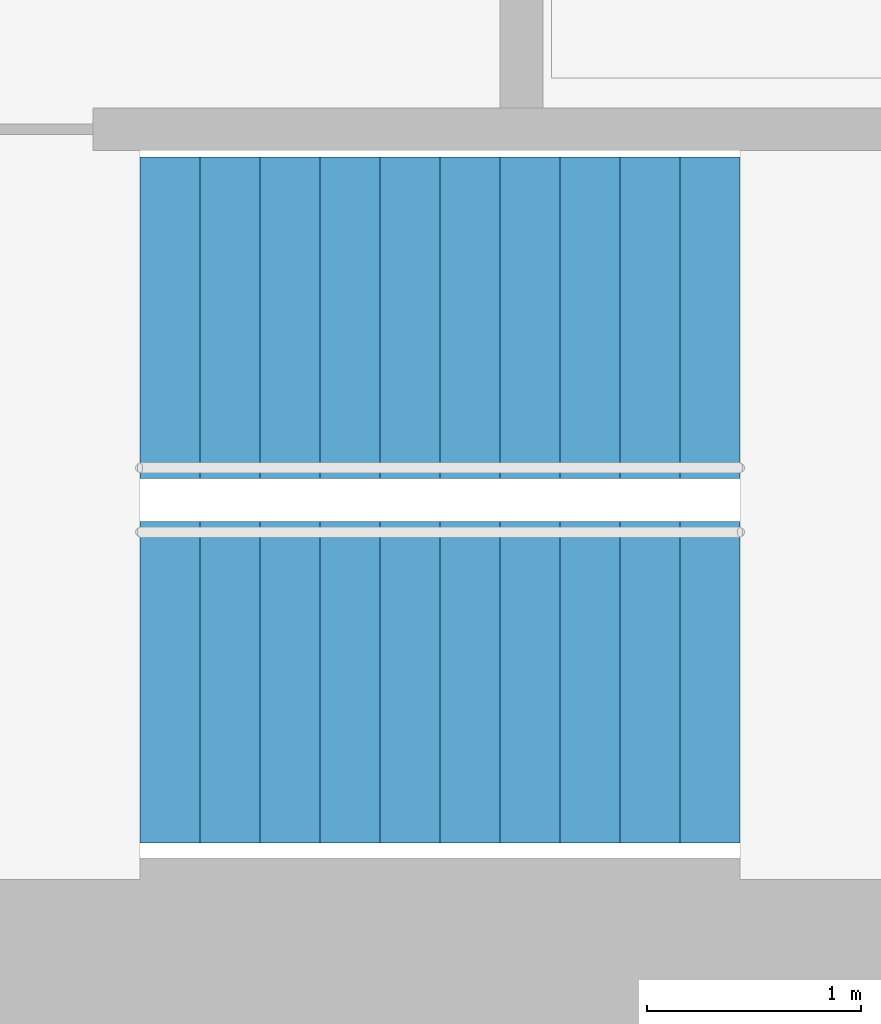
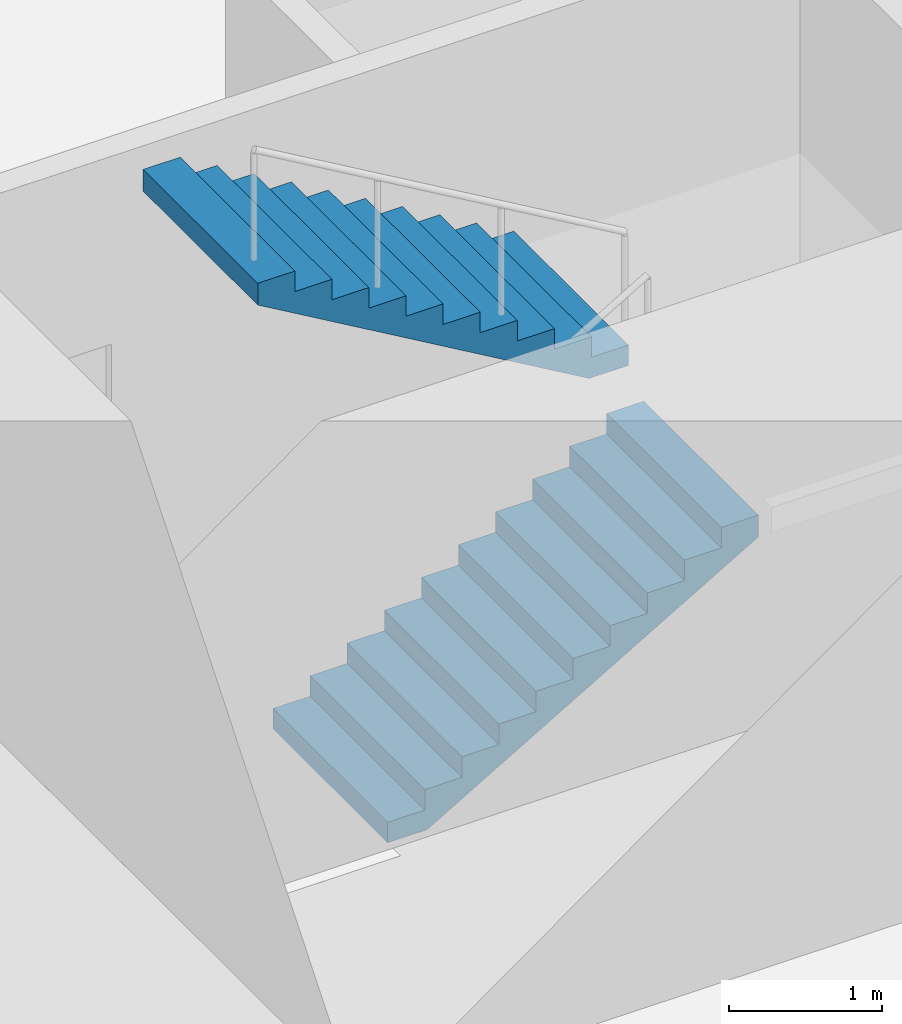
# One storey, part 13 of 15: 2 stair flights, 1 element without a shape of its own.
"""IFC4 building model written with IfcOpenShell, lengths in metres."""

import ifcopenshell
import ifcopenshell.guid

model = None  # the IFC model being written
_history = None  # IfcOwnerHistory: only IFC2X3 demands one
_inside = {}  # id of a spatial element -> (the spatial element, [elements in it])
_under = {}  # id of a project, library or spatial element -> (it, [spatial elements below it])
_declared = {}  # id of a project -> (the project, [libraries it declares])
_typed = {}  # id of a type object -> (the type object, [elements of that type])
_made_of = {}  # id of a material, layer set ... -> (it, [elements and type objects made of it])


def new_model(schema):
    """Start an empty IFC model of exactly this schema.

    Asked for "IFC4X3", IfcOpenShell would pick the latest addendum, in which some entities
    have other attributes; the version numbers below select the first issue.
    IFC2X3 requires an IfcOwnerHistory on every rooted entity: one is made here for all.
    """
    global model, _history
    if schema == "IFC4X3":
        model = ifcopenshell.file(schema_version=(4, 3, 0, 0))
    else:
        model = ifcopenshell.file(schema=schema)
    _inside.clear()
    _under.clear()
    _declared.clear()
    _typed.clear()
    _made_of.clear()
    _history = None
    if model.schema == "IFC2X3":
        org = make("IfcOrganization", Name="unknown")
        user = make(
            "IfcPersonAndOrganization",
            ThePerson=make("IfcPerson", FamilyName="unknown"),
            TheOrganization=org,
        )
        app = make(
            "IfcApplication",
            ApplicationDeveloper=org,
            Version="unknown",
            ApplicationFullName="unknown",
            ApplicationIdentifier="unknown",
        )
        _history = make(
            "IfcOwnerHistory",
            OwningUser=user,
            OwningApplication=app,
            ChangeAction="ADDED",
            CreationDate=0,
        )
    return model


def make(cls, **values):
    """One entity of the class cls with the attributes given. An attribute that is None is left unset."""
    return model.create_entity(
        cls, **{name: value for name, value in values.items() if value is not None}
    )


def rooted(cls, **values):
    """An entity with a GlobalId (a new one), such as an element, a storey or a relation."""
    return make(cls, GlobalId=ifcopenshell.guid.new(), OwnerHistory=_history, **values)


def si_unit(unit_type, name, prefix=None):
    """IfcSIUnit, for example si_unit("LENGTHUNIT", "METRE", prefix="MILLI")."""
    return make("IfcSIUnit", UnitType=unit_type, Prefix=prefix, Name=name)


def assignment(units):
    """IfcUnitAssignment: the units of a project."""
    return None if units is None else make("IfcUnitAssignment", Units=units)


def point(xyz):
    """IfcCartesianPoint."""
    return None if xyz is None else make("IfcCartesianPoint", Coordinates=xyz)


def direction(xyz):
    """IfcDirection."""
    return None if xyz is None else make("IfcDirection", DirectionRatios=xyz)


def frame(location, z_axis=None, x_axis=None):
    """IfcAxis2Placement3D, a coordinate frame: its origin and axes. An axis left out is left unset."""
    return make(
        "IfcAxis2Placement3D",
        Location=point(location),
        Axis=direction(z_axis),
        RefDirection=direction(x_axis),
    )


def origin():
    """The frame at (0, 0, 0) with its axes left unset."""
    return frame((0.0, 0.0, 0.0))


def place(relative_to, where):
    """IfcLocalPlacement: puts the frame where relative to a parent placement (None: the world)."""
    return make(
        "IfcLocalPlacement", PlacementRelTo=relative_to, RelativePlacement=where
    )


def context(
    kind, dimensions, precision=None, world=None, true_north=None, identifier=None
):
    """IfcGeometricRepresentationContext, for example the 3D "Model" context."""
    return make(
        "IfcGeometricRepresentationContext",
        ContextIdentifier=identifier,
        ContextType=kind,
        CoordinateSpaceDimension=dimensions,
        Precision=precision,
        WorldCoordinateSystem=world,
        TrueNorth=true_north,
    )


def subcontext(parent, identifier, kind, view, scale=None):
    """IfcGeometricRepresentationSubContext, for example "Body" below "Model"."""
    return make(
        "IfcGeometricRepresentationSubContext",
        ContextIdentifier=identifier,
        ContextType=kind,
        ParentContext=parent,
        TargetScale=scale,
        TargetView=view,
    )


def project(units=None, contexts=None):
    """IfcProject with its units and contexts."""
    return rooted(
        "IfcProject",
        Name="project",
        RepresentationContexts=contexts,
        UnitsInContext=assignment(units),
    )


def spatial(cls, under=None, at=None, **own):
    """A site, building, storey or space (cls), placed at a placement, below another one or the project."""
    s = rooted(cls, ObjectPlacement=at, **own)
    if under is not None:
        _under.setdefault(under.id(), (under, []))[1].append(s)
    return s


def point_list(points):
    """IfcCartesianPointList2D or 3D."""
    cls = (
        "IfcCartesianPointList2D" if len(points[0]) == 2 else "IfcCartesianPointList3D"
    )
    return make(cls, CoordList=points)


def triangles(points, corners, closed=None, point_numbers=None):
    """IfcTriangulatedFaceSet: each triangle names its three corners, points numbered from 1."""
    return make(
        "IfcTriangulatedFaceSet",
        Coordinates=point_list(points),
        Closed=closed,
        CoordIndex=corners,
        PnIndex=point_numbers,
    )


def shape(context_of_items, identifier, shape_type, items):
    """IfcShapeRepresentation: the items that make up one representation, for example the "Body"."""
    return make(
        "IfcShapeRepresentation",
        ContextOfItems=context_of_items,
        RepresentationIdentifier=identifier,
        RepresentationType=shape_type,
        Items=items,
    )


def material(Name=None, Category=None):
    """IfcMaterial."""
    return make("IfcMaterial", Name=Name, Category=Category)


def made_of(thing, what):
    """Note that an element or type object is made of a material, layer set ...; save() writes the relation."""
    if what is not None:
        _made_of.setdefault(what.id(), (what, []))[1].append(thing)
    return thing


def type_object(cls, material=None, **own):
    """A type object (cls), such as IfcWallType, which elements share."""
    return made_of(rooted(cls, **own), material)


def element(
    cls,
    number,
    at=None,
    inside=None,
    cuts=None,
    type_object=None,
    material=None,
    context=None,
    identifier="Body",
    shape_type=None,
    held_by="IfcProductDefinitionShape",
    body=None,
    shapes=None,
    **own,
):
    """One element of the class cls, such as IfcWall. Its Tag is "e" and its number.

    at: its placement. inside: the storey or other place that contains it. cuts: it is an
    opening in that element (IfcRelVoidsElement). A single representation is given by context,
    identifier, shape_type and body (its items); several are given by shapes. held_by: the class
    of the entity that holds the representations. save() writes the other relations.
    """
    e = rooted(cls, Tag="e%d" % number, ObjectPlacement=at, **own)
    if body is not None:
        shapes = [shape(context, identifier, shape_type, body)]
    if shapes is not None:
        e.Representation = make(held_by, Representations=shapes)
    if inside is not None:
        _inside.setdefault(inside.id(), (inside, []))[1].append(e)
    if cuts is not None:
        rooted(
            "IfcRelVoidsElement", RelatingBuildingElement=cuts, RelatedOpeningElement=e
        )
    if type_object is not None:
        _typed.setdefault(type_object.id(), (type_object, []))[1].append(e)
    return made_of(e, material)


def aggregate(whole, parts):
    """IfcRelAggregates: a whole, such as a stair, and the parts it consists of."""
    return rooted("IfcRelAggregates", RelatingObject=whole, RelatedObjects=parts)


def save(model, path):
    """Write the relations noted so far, then the file.

    IfcRelAggregates (storeys below a building ...), IfcRelContainedInSpatialStructure (elements
    in a storey), IfcRelDefinesByType, IfcRelAssociatesMaterial and IfcRelDeclares: one each for
    every whole, place, type object, material and project.
    """
    for whole, parts in _under.values():
        aggregate(whole, parts)
    for where, things in _inside.values():
        rooted(
            "IfcRelContainedInSpatialStructure",
            RelatedElements=things,
            RelatingStructure=where,
        )
    for kind, things in _typed.values():
        rooted("IfcRelDefinesByType", RelatedObjects=things, RelatingType=kind)
    for what, things in _made_of.values():
        rooted("IfcRelAssociatesMaterial", RelatedObjects=things, RelatingMaterial=what)
    for by, libraries in _declared.values():
        rooted("IfcRelDeclares", RelatingContext=by, RelatedDefinitions=libraries)
    model.write(path)


model = new_model("IFC4")

# Units and contexts
model_context = context("Model", 3, precision=1e-05, world=origin(), true_north=direction((0.0, 1.0)))
body_context = subcontext(model_context, "Body", "Model", "MODEL_VIEW")
ifc_project = project(units=[si_unit("LENGTHUNIT", "METRE"), si_unit("AREAUNIT", "SQUARE_METRE"), si_unit("VOLUMEUNIT", "CUBIC_METRE"), si_unit("PLANEANGLEUNIT", "RADIAN"), si_unit("MASSUNIT", "GRAM", prefix="KILO")], contexts=[model_context])

# Site, building, storey
site_placement = place(None, origin())
site = spatial("IfcSite", under=ifc_project, at=site_placement, CompositionType="ELEMENT")
building_placement = place(site_placement, origin())
building = spatial("IfcBuilding", under=site, at=building_placement, Name="Lantaw Convention Tower", CompositionType="ELEMENT")
storey_placement = place(building_placement, frame((0.0, 0.0, 76.60009765625)))
storey = spatial("IfcBuildingStorey", under=building, at=storey_placement, Name="L17", CompositionType="ELEMENT", Elevation=76.60009765625)

# Stair, stair flights
ifc_material = material(Name="Concrete C35/45", Category="concrete")
stair_type = type_object("IfcStairType", Name="Exit stair 1500 riser 163.64 in 2 flights", PredefinedType="HALF_TURN_STAIR", material=ifc_material)
stair_placement = place(storey_placement, origin())
stair = element("IfcStair", 1, at=stair_placement, inside=storey, type_object=stair_type, Name="Exit stair S1 L17", PredefinedType="HALF_TURN_STAIR")
stair_flight_type = type_object("IfcStairFlightType", Name="Stair flight 1500 riser 163.64", PredefinedType="STRAIGHT", material=ifc_material)
stair_flight_1_placement = place(storey_placement, frame((-10.580078125, -5.97998046875, 0.0), z_axis=(0.0, 0.0, 1.0), x_axis=(1.0, 0.0, 0.0)))
stair_flight_1 = element("IfcStairFlight", 2, at=stair_flight_1_placement, type_object=stair_flight_type, Name="S1 flight 1", NumberOfRisers=11, NumberOfTreads=10, PredefinedType="STRAIGHT", RiserHeight=0.163636364, TreadLength=0.28, context=body_context, shape_type="Tessellation", body=[
    triangles([(0.0, 0.75, 0.0), (0.0, 0.75, 0.163636364), (0.28, 0.75, 0.0), (0.28, 0.75, 0.163636364), (0.28, 0.75, 0.327272728), (0.2970904571225277, 0.75, 0.0), (0.2970904571225277, 0.75, 0.327272728), (0.56, 0.75, 0.1536484344906131), (0.56, 0.75, 0.327272728), (0.56, 0.75, 0.490909092), (0.8400000000000001, 0.75, 0.3172847984906131), (0.8400000000000001, 0.75, 0.490909092), (0.8400000000000001, 0.75, 0.654545456), (1.12, 0.75, 0.4809211624906131), (1.12, 0.75, 0.654545456), (1.12, 0.75, 0.8181818200000001), (1.4000000000000001, 0.75, 0.6445575264906132), (1.4000000000000001, 0.75, 0.8181818200000001), (1.4000000000000001, 0.75, 0.981818184), (1.6800000000000002, 0.75, 0.8081938904906131), (1.6800000000000002, 0.75, 0.981818184), (1.6800000000000002, 0.75, 1.145454548), (1.9600000000000002, 0.75, 0.9718302544906131), (1.9600000000000002, 0.75, 1.145454548), (1.9600000000000002, 0.75, 1.309090912), (2.24, 0.75, 1.135466618490613), (2.24, 0.75, 1.309090912), (2.24, 0.75, 1.472727276), (2.5200000000000005, 0.75, 1.2991029824906133), (2.5200000000000005, 0.75, 1.472727276), (2.5200000000000005, 0.75, 1.6363636400000001), (2.8000000000000003, 0.75, 1.462739346490613), (2.8000000000000003, 0.75, 1.6363636400000001), (0.0, -0.75, 0.0), (0.0, -0.75, 0.163636364), (0.28, -0.75, 0.0), (0.28, -0.75, 0.163636364), (0.28, -0.75, 0.327272728), (0.2970904571225277, -0.75, 0.0), (0.2970904571225277, -0.75, 0.327272728), (0.56, -0.75, 0.1536484344906131), (0.56, -0.75, 0.327272728), (0.56, -0.75, 0.490909092), (0.8400000000000001, -0.75, 0.3172847984906131), (0.8400000000000001, -0.75, 0.490909092), (0.8400000000000001, -0.75, 0.654545456), (1.12, -0.75, 0.4809211624906131), (1.12, -0.75, 0.654545456), (1.12, -0.75, 0.8181818200000001), (1.4000000000000001, -0.75, 0.6445575264906132), (1.4000000000000001, -0.75, 0.8181818200000001), (1.4000000000000001, -0.75, 0.981818184), (1.6800000000000002, -0.75, 0.8081938904906131), (1.6800000000000002, -0.75, 0.981818184), (1.6800000000000002, -0.75, 1.145454548), (1.9600000000000002, -0.75, 0.9718302544906131), (1.9600000000000002, -0.75, 1.145454548), (1.9600000000000002, -0.75, 1.309090912), (2.24, -0.75, 1.135466618490613), (2.24, -0.75, 1.309090912), (2.24, -0.75, 1.472727276), (2.5200000000000005, -0.75, 1.2991029824906133), (2.5200000000000005, -0.75, 1.472727276), (2.5200000000000005, -0.75, 1.6363636400000001), (2.8000000000000003, -0.75, 1.462739346490613), (2.8000000000000003, -0.75, 1.6363636400000001), (0.0, 0.15000000000000002, 0.163636364), (0.0, 0.15000000000000002, 0.0), (0.0, 0.0, 0.163636364), (0.0, 0.0, 0.0), (0.0, -0.15000000000000002, 0.163636364), (0.0, -0.15000000000000002, 0.0), (0.28, 0.15000000000000002, 0.327272728), (0.28, 0.15000000000000002, 0.163636364), (0.28, 0.0, 0.327272728), (0.28, 0.0, 0.163636364), (0.28, -0.15000000000000002, 0.327272728), (0.28, -0.15000000000000002, 0.163636364), (0.56, 0.15000000000000002, 0.490909092), (0.56, 0.15000000000000002, 0.327272728), (0.56, 0.0, 0.490909092), (0.56, 0.0, 0.327272728), (0.56, -0.15000000000000002, 0.490909092), (0.56, -0.15000000000000002, 0.327272728), (0.8400000000000001, 0.15000000000000002, 0.654545456), (0.8400000000000001, 0.15000000000000002, 0.490909092), (0.8400000000000001, 0.0, 0.654545456), (0.8400000000000001, 0.0, 0.490909092), (0.8400000000000001, -0.15000000000000002, 0.654545456), (0.8400000000000001, -0.15000000000000002, 0.490909092), (1.12, 0.15000000000000002, 0.8181818200000001), (1.12, 0.15000000000000002, 0.654545456), (1.12, 0.0, 0.8181818200000001), (1.12, 0.0, 0.654545456), (1.12, -0.15000000000000002, 0.8181818200000001), (1.12, -0.15000000000000002, 0.654545456), (1.4000000000000001, 0.15000000000000002, 0.981818184), (1.4000000000000001, 0.15000000000000002, 0.8181818200000001), (1.4000000000000001, 0.0, 0.981818184), (1.4000000000000001, 0.0, 0.8181818200000001), (1.4000000000000001, -0.15000000000000002, 0.981818184), (1.4000000000000001, -0.15000000000000002, 0.8181818200000001), (1.6800000000000002, 0.15000000000000002, 1.145454548), (1.6800000000000002, 0.15000000000000002, 0.981818184), (1.6800000000000002, 0.0, 1.145454548), (1.6800000000000002, 0.0, 0.981818184), (1.6800000000000002, -0.15000000000000002, 1.145454548), (1.6800000000000002, -0.15000000000000002, 0.981818184), (1.9600000000000002, 0.15000000000000002, 1.309090912), (1.9600000000000002, 0.15000000000000002, 1.145454548), (1.9600000000000002, 0.0, 1.309090912), (1.9600000000000002, 0.0, 1.145454548), (1.9600000000000002, -0.15000000000000002, 1.309090912), (1.9600000000000002, -0.15000000000000002, 1.145454548), (2.24, 0.15000000000000002, 1.472727276), (2.24, 0.15000000000000002, 1.309090912), (2.24, 0.0, 1.472727276), (2.24, 0.0, 1.309090912), (2.24, -0.15000000000000002, 1.472727276), (2.24, -0.15000000000000002, 1.309090912), (2.5200000000000005, 0.15000000000000002, 1.6363636400000001), (2.5200000000000005, 0.15000000000000002, 1.472727276), (2.5200000000000005, 0.0, 1.6363636400000001), (2.5200000000000005, 0.0, 1.472727276), (2.5200000000000005, -0.15000000000000002, 1.6363636400000001), (2.5200000000000005, -0.15000000000000002, 1.472727276), (0.2970904571225277, 0.15000000000000002, 0.327272728), (0.2970904571225277, 0.0, 0.327272728), (0.2970904571225277, -0.15000000000000002, 0.327272728), (2.8000000000000003, 0.15000000000000002, 1.6363636400000001), (2.8000000000000003, 0.0, 1.6363636400000001), (2.8000000000000003, -0.15000000000000002, 1.6363636400000001), (2.8000000000000003, 0.15000000000000002, 1.462739346490613), (2.8000000000000003, 0.0, 1.462739346490613), (2.8000000000000003, -0.15000000000000002, 1.462739346490613), (2.5200000000000005, 0.15000000000000002, 1.2991029824906133), (2.5200000000000005, 0.0, 1.2991029824906133), (2.5200000000000005, -0.15000000000000002, 1.2991029824906133), (2.24, 0.15000000000000002, 1.135466618490613), (2.24, 0.0, 1.135466618490613), (2.24, -0.15000000000000002, 1.135466618490613), (1.9600000000000002, 0.15000000000000002, 0.9718302544906131), (1.9600000000000002, 0.0, 0.9718302544906131), (1.9600000000000002, -0.15000000000000002, 0.9718302544906131), (1.6800000000000002, 0.15000000000000002, 0.8081938904906131), (1.6800000000000002, 0.0, 0.8081938904906131), (1.6800000000000002, -0.15000000000000002, 0.8081938904906131), (1.4000000000000001, 0.15000000000000002, 0.6445575264906132), (1.4000000000000001, 0.0, 0.6445575264906132), (1.4000000000000001, -0.15000000000000002, 0.6445575264906132), (1.12, 0.15000000000000002, 0.4809211624906131), (1.12, 0.0, 0.4809211624906131), (1.12, -0.15000000000000002, 0.4809211624906131), (0.8400000000000001, 0.15000000000000002, 0.3172847984906131), (0.8400000000000001, 0.0, 0.3172847984906131), (0.8400000000000001, -0.15000000000000002, 0.3172847984906131), (0.56, 0.15000000000000002, 0.1536484344906131), (0.56, 0.0, 0.1536484344906131), (0.56, -0.15000000000000002, 0.1536484344906131), (0.2970904571225277, 0.15000000000000002, 0.0), (0.2970904571225277, 0.0, 0.0), (0.2970904571225277, -0.15000000000000002, 0.0), (0.28, 0.15000000000000002, 0.0), (0.28, 0.0, 0.0), (0.28, -0.15000000000000002, 0.0)], [[1, 4, 3], [1, 2, 4], [3, 4, 6], [4, 7, 6], [4, 5, 7], [6, 9, 8], [6, 7, 9], [8, 9, 11], [9, 12, 11], [9, 10, 12], [11, 12, 14], [12, 15, 14], [12, 13, 15], [14, 15, 17], [15, 18, 17], [15, 16, 18], [17, 18, 20], [18, 21, 20], [18, 19, 21], [20, 21, 23], [21, 24, 23], [21, 22, 24], [23, 24, 26], [24, 27, 26], [24, 25, 27], [26, 27, 29], [27, 30, 29], [27, 28, 30], [29, 30, 32], [30, 33, 32], [30, 31, 33], [34, 36, 37], [34, 37, 35], [36, 39, 37], [37, 39, 40], [37, 40, 38], [39, 41, 42], [39, 42, 40], [41, 44, 42], [42, 44, 45], [42, 45, 43], [44, 47, 45], [45, 47, 48], [45, 48, 46], [47, 50, 48], [48, 50, 51], [48, 51, 49], [50, 53, 51], [51, 53, 54], [51, 54, 52], [53, 56, 54], [54, 56, 57], [54, 57, 55], [56, 59, 57], [57, 59, 60], [57, 60, 58], [59, 62, 60], [60, 62, 63], [60, 63, 61], [62, 65, 63], [63, 65, 66], [63, 66, 64], [1, 67, 2], [1, 68, 67], [68, 69, 67], [68, 70, 69], [70, 71, 69], [70, 72, 71], [72, 35, 71], [72, 34, 35], [4, 73, 5], [4, 74, 73], [74, 75, 73], [74, 76, 75], [76, 77, 75], [76, 78, 77], [78, 38, 77], [78, 37, 38], [9, 79, 10], [9, 80, 79], [80, 81, 79], [80, 82, 81], [82, 83, 81], [82, 84, 83], [84, 43, 83], [84, 42, 43], [12, 85, 13], [12, 86, 85], [86, 87, 85], [86, 88, 87], [88, 89, 87], [88, 90, 89], [90, 46, 89], [90, 45, 46], [15, 91, 16], [15, 92, 91], [92, 93, 91], [92, 94, 93], [94, 95, 93], [94, 96, 95], [96, 49, 95], [96, 48, 49], [18, 97, 19], [18, 98, 97], [98, 99, 97], [98, 100, 99], [100, 101, 99], [100, 102, 101], [102, 52, 101], [102, 51, 52], [21, 103, 22], [21, 104, 103], [104, 105, 103], [104, 106, 105], [106, 107, 105], [106, 108, 107], [108, 55, 107], [108, 54, 55], [24, 109, 25], [24, 110, 109], [110, 111, 109], [110, 112, 111], [112, 113, 111], [112, 114, 113], [114, 58, 113], [114, 57, 58], [27, 115, 28], [27, 116, 115], [116, 117, 115], [116, 118, 117], [118, 119, 117], [118, 120, 119], [120, 61, 119], [120, 60, 61], [30, 121, 31], [30, 122, 121], [122, 123, 121], [122, 124, 123], [124, 125, 123], [124, 126, 125], [126, 64, 125], [126, 63, 64], [2, 74, 4], [2, 67, 74], [67, 76, 74], [67, 69, 76], [69, 78, 76], [69, 71, 78], [71, 37, 78], [71, 35, 37], [5, 127, 7], [5, 73, 127], [73, 128, 127], [73, 75, 128], [75, 129, 128], [75, 77, 129], [77, 40, 129], [77, 38, 40], [7, 80, 9], [7, 127, 80], [127, 82, 80], [127, 128, 82], [128, 84, 82], [128, 129, 84], [129, 42, 84], [129, 40, 42], [10, 86, 12], [10, 79, 86], [79, 88, 86], [79, 81, 88], [81, 90, 88], [81, 83, 90], [83, 45, 90], [83, 43, 45], [13, 92, 15], [13, 85, 92], [85, 94, 92], [85, 87, 94], [87, 96, 94], [87, 89, 96], [89, 48, 96], [89, 46, 48], [16, 98, 18], [16, 91, 98], [91, 100, 98], [91, 93, 100], [93, 102, 100], [93, 95, 102], [95, 51, 102], [95, 49, 51], [19, 104, 21], [19, 97, 104], [97, 106, 104], [97, 99, 106], [99, 108, 106], [99, 101, 108], [101, 54, 108], [101, 52, 54], [22, 110, 24], [22, 103, 110], [103, 112, 110], [103, 105, 112], [105, 114, 112], [105, 107, 114], [107, 57, 114], [107, 55, 57], [25, 116, 27], [25, 109, 116], [109, 118, 116], [109, 111, 118], [111, 120, 118], [111, 113, 120], [113, 60, 120], [113, 58, 60], [28, 122, 30], [28, 115, 122], [115, 124, 122], [115, 117, 124], [117, 126, 124], [117, 119, 126], [119, 63, 126], [119, 61, 63], [31, 130, 33], [31, 121, 130], [121, 131, 130], [121, 123, 131], [123, 132, 131], [123, 125, 132], [125, 66, 132], [125, 64, 66], [33, 133, 32], [33, 130, 133], [130, 134, 133], [130, 131, 134], [131, 135, 134], [131, 132, 135], [132, 65, 135], [132, 66, 65], [32, 136, 29], [32, 133, 136], [133, 137, 136], [133, 134, 137], [134, 138, 137], [134, 135, 138], [135, 62, 138], [135, 65, 62], [29, 139, 26], [29, 136, 139], [136, 140, 139], [136, 137, 140], [137, 141, 140], [137, 138, 141], [138, 59, 141], [138, 62, 59], [26, 142, 23], [26, 139, 142], [139, 143, 142], [139, 140, 143], [140, 144, 143], [140, 141, 144], [141, 56, 144], [141, 59, 56], [23, 145, 20], [23, 142, 145], [142, 146, 145], [142, 143, 146], [143, 147, 146], [143, 144, 147], [144, 53, 147], [144, 56, 53], [20, 148, 17], [20, 145, 148], [145, 149, 148], [145, 146, 149], [146, 150, 149], [146, 147, 150], [147, 50, 150], [147, 53, 50], [17, 151, 14], [17, 148, 151], [148, 152, 151], [148, 149, 152], [149, 153, 152], [149, 150, 153], [150, 47, 153], [150, 50, 47], [14, 154, 11], [14, 151, 154], [151, 155, 154], [151, 152, 155], [152, 156, 155], [152, 153, 156], [153, 44, 156], [153, 47, 44], [11, 157, 8], [11, 154, 157], [154, 158, 157], [154, 155, 158], [155, 159, 158], [155, 156, 159], [156, 41, 159], [156, 44, 41], [8, 160, 6], [8, 157, 160], [157, 161, 160], [157, 158, 161], [158, 162, 161], [158, 159, 162], [159, 39, 162], [159, 41, 39], [6, 163, 3], [6, 160, 163], [160, 164, 163], [160, 161, 164], [161, 165, 164], [161, 162, 165], [162, 36, 165], [162, 39, 36], [3, 68, 1], [3, 163, 68], [163, 70, 68], [163, 164, 70], [164, 72, 70], [164, 165, 72], [165, 34, 72], [165, 36, 34]], closed=True),
])
stair_flight_2_placement = place(storey_placement, frame((-7.780029296875, -4.280029296875, 1.7998046875), z_axis=(0.0, 0.0, 1.0), x_axis=(-1.0, 0.0, 0.0)))
stair_flight_2 = element("IfcStairFlight", 3, at=stair_flight_2_placement, type_object=stair_flight_type, Name="S1 flight 2", NumberOfRisers=11, NumberOfTreads=10, PredefinedType="STRAIGHT", RiserHeight=0.163636364, TreadLength=0.28, context=body_context, shape_type="Tessellation", body=[
    triangles([(0.0, 0.75, 0.0), (0.0, 0.75, 0.163636364), (0.28, 0.75, 0.0), (0.28, 0.75, 0.163636364), (0.28, 0.75, 0.327272728), (0.2970904571225277, 0.75, 0.0), (0.2970904571225277, 0.75, 0.327272728), (0.56, 0.75, 0.1536484344906131), (0.56, 0.75, 0.327272728), (0.56, 0.75, 0.490909092), (0.8400000000000001, 0.75, 0.3172847984906131), (0.8400000000000001, 0.75, 0.490909092), (0.8400000000000001, 0.75, 0.654545456), (1.12, 0.75, 0.4809211624906131), (1.12, 0.75, 0.654545456), (1.12, 0.75, 0.8181818200000001), (1.4000000000000001, 0.75, 0.6445575264906132), (1.4000000000000001, 0.75, 0.8181818200000001), (1.4000000000000001, 0.75, 0.981818184), (1.6800000000000002, 0.75, 0.8081938904906131), (1.6800000000000002, 0.75, 0.981818184), (1.6800000000000002, 0.75, 1.145454548), (1.9600000000000002, 0.75, 0.9718302544906131), (1.9600000000000002, 0.75, 1.145454548), (1.9600000000000002, 0.75, 1.309090912), (2.24, 0.75, 1.135466618490613), (2.24, 0.75, 1.309090912), (2.24, 0.75, 1.472727276), (2.5200000000000005, 0.75, 1.2991029824906133), (2.5200000000000005, 0.75, 1.472727276), (2.5200000000000005, 0.75, 1.6363636400000001), (2.8000000000000003, 0.75, 1.462739346490613), (2.8000000000000003, 0.75, 1.6363636400000001), (0.0, -0.75, 0.0), (0.0, -0.75, 0.163636364), (0.28, -0.75, 0.0), (0.28, -0.75, 0.163636364), (0.28, -0.75, 0.327272728), (0.2970904571225277, -0.75, 0.0), (0.2970904571225277, -0.75, 0.327272728), (0.56, -0.75, 0.1536484344906131), (0.56, -0.75, 0.327272728), (0.56, -0.75, 0.490909092), (0.8400000000000001, -0.75, 0.3172847984906131), (0.8400000000000001, -0.75, 0.490909092), (0.8400000000000001, -0.75, 0.654545456), (1.12, -0.75, 0.4809211624906131), (1.12, -0.75, 0.654545456), (1.12, -0.75, 0.8181818200000001), (1.4000000000000001, -0.75, 0.6445575264906132), (1.4000000000000001, -0.75, 0.8181818200000001), (1.4000000000000001, -0.75, 0.981818184), (1.6800000000000002, -0.75, 0.8081938904906131), (1.6800000000000002, -0.75, 0.981818184), (1.6800000000000002, -0.75, 1.145454548), (1.9600000000000002, -0.75, 0.9718302544906131), (1.9600000000000002, -0.75, 1.145454548), (1.9600000000000002, -0.75, 1.309090912), (2.24, -0.75, 1.135466618490613), (2.24, -0.75, 1.309090912), (2.24, -0.75, 1.472727276), (2.5200000000000005, -0.75, 1.2991029824906133), (2.5200000000000005, -0.75, 1.472727276), (2.5200000000000005, -0.75, 1.6363636400000001), (2.8000000000000003, -0.75, 1.462739346490613), (2.8000000000000003, -0.75, 1.6363636400000001), (0.0, 0.15000000000000002, 0.163636364), (0.0, 0.15000000000000002, 0.0), (0.0, 0.0, 0.163636364), (0.0, 0.0, 0.0), (0.0, -0.15000000000000002, 0.163636364), (0.0, -0.15000000000000002, 0.0), (0.28, 0.15000000000000002, 0.327272728), (0.28, 0.15000000000000002, 0.163636364), (0.28, 0.0, 0.327272728), (0.28, 0.0, 0.163636364), (0.28, -0.15000000000000002, 0.327272728), (0.28, -0.15000000000000002, 0.163636364), (0.56, 0.15000000000000002, 0.490909092), (0.56, 0.15000000000000002, 0.327272728), (0.56, 0.0, 0.490909092), (0.56, 0.0, 0.327272728), (0.56, -0.15000000000000002, 0.490909092), (0.56, -0.15000000000000002, 0.327272728), (0.8400000000000001, 0.15000000000000002, 0.654545456), (0.8400000000000001, 0.15000000000000002, 0.490909092), (0.8400000000000001, 0.0, 0.654545456), (0.8400000000000001, 0.0, 0.490909092), (0.8400000000000001, -0.15000000000000002, 0.654545456), (0.8400000000000001, -0.15000000000000002, 0.490909092), (1.12, 0.15000000000000002, 0.8181818200000001), (1.12, 0.15000000000000002, 0.654545456), (1.12, 0.0, 0.8181818200000001), (1.12, 0.0, 0.654545456), (1.12, -0.15000000000000002, 0.8181818200000001), (1.12, -0.15000000000000002, 0.654545456), (1.4000000000000001, 0.15000000000000002, 0.981818184), (1.4000000000000001, 0.15000000000000002, 0.8181818200000001), (1.4000000000000001, 0.0, 0.981818184), (1.4000000000000001, 0.0, 0.8181818200000001), (1.4000000000000001, -0.15000000000000002, 0.981818184), (1.4000000000000001, -0.15000000000000002, 0.8181818200000001), (1.6800000000000002, 0.15000000000000002, 1.145454548), (1.6800000000000002, 0.15000000000000002, 0.981818184), (1.6800000000000002, 0.0, 1.145454548), (1.6800000000000002, 0.0, 0.981818184), (1.6800000000000002, -0.15000000000000002, 1.145454548), (1.6800000000000002, -0.15000000000000002, 0.981818184), (1.9600000000000002, 0.15000000000000002, 1.309090912), (1.9600000000000002, 0.15000000000000002, 1.145454548), (1.9600000000000002, 0.0, 1.309090912), (1.9600000000000002, 0.0, 1.145454548), (1.9600000000000002, -0.15000000000000002, 1.309090912), (1.9600000000000002, -0.15000000000000002, 1.145454548), (2.24, 0.15000000000000002, 1.472727276), (2.24, 0.15000000000000002, 1.309090912), (2.24, 0.0, 1.472727276), (2.24, 0.0, 1.309090912), (2.24, -0.15000000000000002, 1.472727276), (2.24, -0.15000000000000002, 1.309090912), (2.5200000000000005, 0.15000000000000002, 1.6363636400000001), (2.5200000000000005, 0.15000000000000002, 1.472727276), (2.5200000000000005, 0.0, 1.6363636400000001), (2.5200000000000005, 0.0, 1.472727276), (2.5200000000000005, -0.15000000000000002, 1.6363636400000001), (2.5200000000000005, -0.15000000000000002, 1.472727276), (0.2970904571225277, 0.15000000000000002, 0.327272728), (0.2970904571225277, 0.0, 0.327272728), (0.2970904571225277, -0.15000000000000002, 0.327272728), (2.8000000000000003, 0.15000000000000002, 1.6363636400000001), (2.8000000000000003, 0.0, 1.6363636400000001), (2.8000000000000003, -0.15000000000000002, 1.6363636400000001), (2.8000000000000003, 0.15000000000000002, 1.462739346490613), (2.8000000000000003, 0.0, 1.462739346490613), (2.8000000000000003, -0.15000000000000002, 1.462739346490613), (2.5200000000000005, 0.15000000000000002, 1.2991029824906133), (2.5200000000000005, 0.0, 1.2991029824906133), (2.5200000000000005, -0.15000000000000002, 1.2991029824906133), (2.24, 0.15000000000000002, 1.135466618490613), (2.24, 0.0, 1.135466618490613), (2.24, -0.15000000000000002, 1.135466618490613), (1.9600000000000002, 0.15000000000000002, 0.9718302544906131), (1.9600000000000002, 0.0, 0.9718302544906131), (1.9600000000000002, -0.15000000000000002, 0.9718302544906131), (1.6800000000000002, 0.15000000000000002, 0.8081938904906131), (1.6800000000000002, 0.0, 0.8081938904906131), (1.6800000000000002, -0.15000000000000002, 0.8081938904906131), (1.4000000000000001, 0.15000000000000002, 0.6445575264906132), (1.4000000000000001, 0.0, 0.6445575264906132), (1.4000000000000001, -0.15000000000000002, 0.6445575264906132), (1.12, 0.15000000000000002, 0.4809211624906131), (1.12, 0.0, 0.4809211624906131), (1.12, -0.15000000000000002, 0.4809211624906131), (0.8400000000000001, 0.15000000000000002, 0.3172847984906131), (0.8400000000000001, 0.0, 0.3172847984906131), (0.8400000000000001, -0.15000000000000002, 0.3172847984906131), (0.56, 0.15000000000000002, 0.1536484344906131), (0.56, 0.0, 0.1536484344906131), (0.56, -0.15000000000000002, 0.1536484344906131), (0.2970904571225277, 0.15000000000000002, 0.0), (0.2970904571225277, 0.0, 0.0), (0.2970904571225277, -0.15000000000000002, 0.0), (0.28, 0.15000000000000002, 0.0), (0.28, 0.0, 0.0), (0.28, -0.15000000000000002, 0.0)], [[1, 4, 3], [1, 2, 4], [3, 4, 6], [4, 7, 6], [4, 5, 7], [6, 9, 8], [6, 7, 9], [8, 9, 11], [9, 12, 11], [9, 10, 12], [11, 12, 14], [12, 15, 14], [12, 13, 15], [14, 15, 17], [15, 18, 17], [15, 16, 18], [17, 18, 20], [18, 21, 20], [18, 19, 21], [20, 21, 23], [21, 24, 23], [21, 22, 24], [23, 24, 26], [24, 27, 26], [24, 25, 27], [26, 27, 29], [27, 30, 29], [27, 28, 30], [29, 30, 32], [30, 33, 32], [30, 31, 33], [34, 36, 37], [34, 37, 35], [36, 39, 37], [37, 39, 40], [37, 40, 38], [39, 41, 42], [39, 42, 40], [41, 44, 42], [42, 44, 45], [42, 45, 43], [44, 47, 45], [45, 47, 48], [45, 48, 46], [47, 50, 48], [48, 50, 51], [48, 51, 49], [50, 53, 51], [51, 53, 54], [51, 54, 52], [53, 56, 54], [54, 56, 57], [54, 57, 55], [56, 59, 57], [57, 59, 60], [57, 60, 58], [59, 62, 60], [60, 62, 63], [60, 63, 61], [62, 65, 63], [63, 65, 66], [63, 66, 64], [1, 67, 2], [1, 68, 67], [68, 69, 67], [68, 70, 69], [70, 71, 69], [70, 72, 71], [72, 35, 71], [72, 34, 35], [4, 73, 5], [4, 74, 73], [74, 75, 73], [74, 76, 75], [76, 77, 75], [76, 78, 77], [78, 38, 77], [78, 37, 38], [9, 79, 10], [9, 80, 79], [80, 81, 79], [80, 82, 81], [82, 83, 81], [82, 84, 83], [84, 43, 83], [84, 42, 43], [12, 85, 13], [12, 86, 85], [86, 87, 85], [86, 88, 87], [88, 89, 87], [88, 90, 89], [90, 46, 89], [90, 45, 46], [15, 91, 16], [15, 92, 91], [92, 93, 91], [92, 94, 93], [94, 95, 93], [94, 96, 95], [96, 49, 95], [96, 48, 49], [18, 97, 19], [18, 98, 97], [98, 99, 97], [98, 100, 99], [100, 101, 99], [100, 102, 101], [102, 52, 101], [102, 51, 52], [21, 103, 22], [21, 104, 103], [104, 105, 103], [104, 106, 105], [106, 107, 105], [106, 108, 107], [108, 55, 107], [108, 54, 55], [24, 109, 25], [24, 110, 109], [110, 111, 109], [110, 112, 111], [112, 113, 111], [112, 114, 113], [114, 58, 113], [114, 57, 58], [27, 115, 28], [27, 116, 115], [116, 117, 115], [116, 118, 117], [118, 119, 117], [118, 120, 119], [120, 61, 119], [120, 60, 61], [30, 121, 31], [30, 122, 121], [122, 123, 121], [122, 124, 123], [124, 125, 123], [124, 126, 125], [126, 64, 125], [126, 63, 64], [2, 74, 4], [2, 67, 74], [67, 76, 74], [67, 69, 76], [69, 78, 76], [69, 71, 78], [71, 37, 78], [71, 35, 37], [5, 127, 7], [5, 73, 127], [73, 128, 127], [73, 75, 128], [75, 129, 128], [75, 77, 129], [77, 40, 129], [77, 38, 40], [7, 80, 9], [7, 127, 80], [127, 82, 80], [127, 128, 82], [128, 84, 82], [128, 129, 84], [129, 42, 84], [129, 40, 42], [10, 86, 12], [10, 79, 86], [79, 88, 86], [79, 81, 88], [81, 90, 88], [81, 83, 90], [83, 45, 90], [83, 43, 45], [13, 92, 15], [13, 85, 92], [85, 94, 92], [85, 87, 94], [87, 96, 94], [87, 89, 96], [89, 48, 96], [89, 46, 48], [16, 98, 18], [16, 91, 98], [91, 100, 98], [91, 93, 100], [93, 102, 100], [93, 95, 102], [95, 51, 102], [95, 49, 51], [19, 104, 21], [19, 97, 104], [97, 106, 104], [97, 99, 106], [99, 108, 106], [99, 101, 108], [101, 54, 108], [101, 52, 54], [22, 110, 24], [22, 103, 110], [103, 112, 110], [103, 105, 112], [105, 114, 112], [105, 107, 114], [107, 57, 114], [107, 55, 57], [25, 116, 27], [25, 109, 116], [109, 118, 116], [109, 111, 118], [111, 120, 118], [111, 113, 120], [113, 60, 120], [113, 58, 60], [28, 122, 30], [28, 115, 122], [115, 124, 122], [115, 117, 124], [117, 126, 124], [117, 119, 126], [119, 63, 126], [119, 61, 63], [31, 130, 33], [31, 121, 130], [121, 131, 130], [121, 123, 131], [123, 132, 131], [123, 125, 132], [125, 66, 132], [125, 64, 66], [33, 133, 32], [33, 130, 133], [130, 134, 133], [130, 131, 134], [131, 135, 134], [131, 132, 135], [132, 65, 135], [132, 66, 65], [32, 136, 29], [32, 133, 136], [133, 137, 136], [133, 134, 137], [134, 138, 137], [134, 135, 138], [135, 62, 138], [135, 65, 62], [29, 139, 26], [29, 136, 139], [136, 140, 139], [136, 137, 140], [137, 141, 140], [137, 138, 141], [138, 59, 141], [138, 62, 59], [26, 142, 23], [26, 139, 142], [139, 143, 142], [139, 140, 143], [140, 144, 143], [140, 141, 144], [141, 56, 144], [141, 59, 56], [23, 145, 20], [23, 142, 145], [142, 146, 145], [142, 143, 146], [143, 147, 146], [143, 144, 147], [144, 53, 147], [144, 56, 53], [20, 148, 17], [20, 145, 148], [145, 149, 148], [145, 146, 149], [146, 150, 149], [146, 147, 150], [147, 50, 150], [147, 53, 50], [17, 151, 14], [17, 148, 151], [148, 152, 151], [148, 149, 152], [149, 153, 152], [149, 150, 153], [150, 47, 153], [150, 50, 47], [14, 154, 11], [14, 151, 154], [151, 155, 154], [151, 152, 155], [152, 156, 155], [152, 153, 156], [153, 44, 156], [153, 47, 44], [11, 157, 8], [11, 154, 157], [154, 158, 157], [154, 155, 158], [155, 159, 158], [155, 156, 159], [156, 41, 159], [156, 44, 41], [8, 160, 6], [8, 157, 160], [157, 161, 160], [157, 158, 161], [158, 162, 161], [158, 159, 162], [159, 39, 162], [159, 41, 39], [6, 163, 3], [6, 160, 163], [160, 164, 163], [160, 161, 164], [161, 165, 164], [161, 162, 165], [162, 36, 165], [162, 39, 36], [3, 68, 1], [3, 163, 68], [163, 70, 68], [163, 164, 70], [164, 72, 70], [164, 165, 72], [165, 34, 72], [165, 36, 34]], closed=True),
])
aggregate(stair, [stair_flight_1, stair_flight_2])

save(model, "model.ifc")
